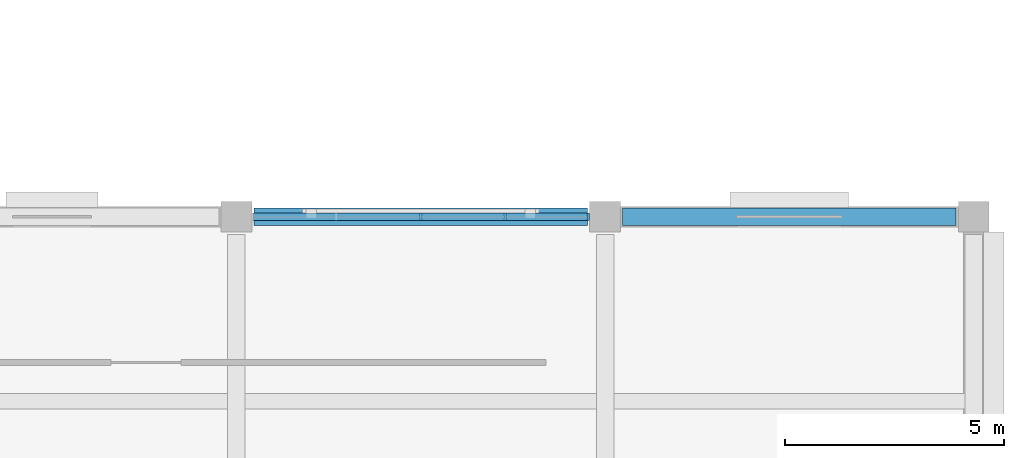
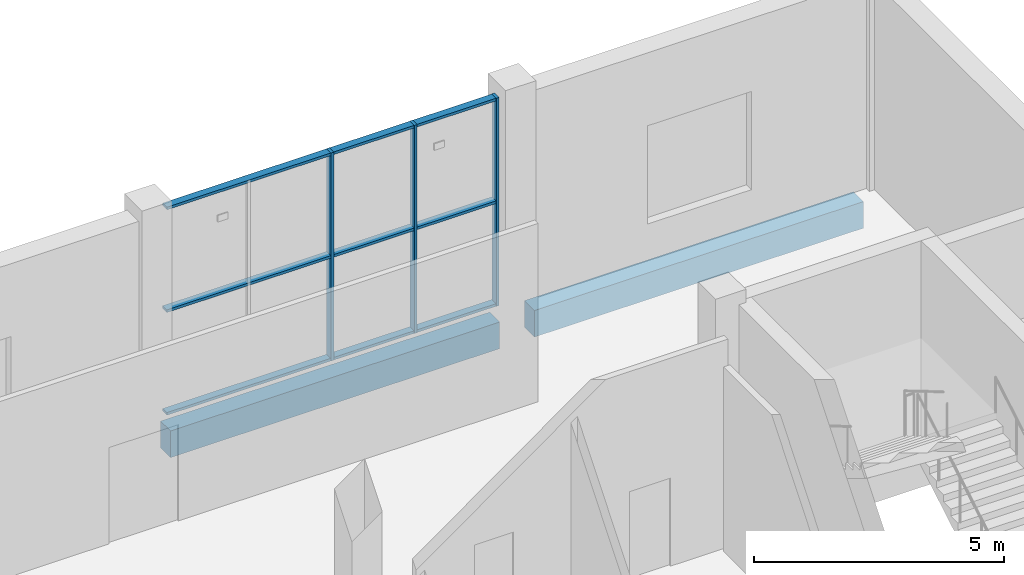
# One storey, part 41 of 83: 6 members, 2 beams, 1 element without a shape of its own.
"""IFC4 building model written with IfcOpenShell, lengths in metres."""

from ifc_helpers import new_model, si_unit, direction, frame, origin, origin_2d, place, context, subcontext, project, spatial, rectangle, extrude, material, material_profile, profile_set, type_object, element, aggregate, save


model = new_model("IFC4")

# Units and contexts
model_context = context("Model", 3, precision=1e-05, world=origin(), true_north=direction((0.0, 1.0)))
body_context = subcontext(model_context, "Body", "Model", "MODEL_VIEW")
ifc_project = project(units=[si_unit("LENGTHUNIT", "METRE"), si_unit("AREAUNIT", "SQUARE_METRE"), si_unit("VOLUMEUNIT", "CUBIC_METRE"), si_unit("PLANEANGLEUNIT", "RADIAN"), si_unit("MASSUNIT", "GRAM", prefix="KILO")], contexts=[model_context])

# Site, building, storey
site_placement = place(None, origin())
site = spatial("IfcSite", under=ifc_project, at=site_placement, CompositionType="ELEMENT")
building_placement = place(site_placement, origin())
building = spatial("IfcBuilding", under=site, at=building_placement, Name="Shalvenor Court Art Gallery", CompositionType="ELEMENT")
storey_placement = place(building_placement, frame((0.0, 0.0, 6.0)))
storey = spatial("IfcBuildingStorey", under=building, at=storey_placement, Name="L01", CompositionType="ELEMENT", Elevation=6.0)

# Beams
ifc_material_1 = material(Name="Concrete C40/50", Category="concrete")
ifc_material_profile_1 = material_profile(ifc_material_1, rectangle(XDim=0.39990234375, YDim=0.64990234375, at=origin_2d()), Name="RC 400x650")
ifc_profile_set_1 = profile_set([ifc_material_profile_1], Name="Concrete C40/50")
beam_type = type_object("IfcBeamType", Name="B-06", PredefinedType="BEAM", material=ifc_profile_set_1)
for number, where, z_axis, x_axis, name in (
    (1, (160.0, 97.199951171875, -0.64501953125), (1.0, 0.0, 0.0), (0.0, 1.0, 0.0), "L01 Girder BM-L01-B-06-0593"),
    (2, (168.39990234375, 97.199951171875, -0.64501953125), (1.0, 0.0, 0.0), (0.0, 1.0, 0.0), "L01 Girder BM-L01-B-06-0594"),
):
    element("IfcBeam", number, at=place(storey_placement, frame(where, z_axis=z_axis, x_axis=x_axis)), inside=storey, type_object=beam_type, Name=name, PredefinedType="BEAM", context=body_context, shape_type="SweptSolid", body=[
        extrude(rectangle(XDim=0.39990234375, YDim=0.64990234375, at=origin_2d()), origin(), (0.0, 0.0, 1.0), 7.60009765625),
    ])

# Curtain wall, members
ifc_material_2 = material(Name="Anodised aluminium and low-iron glass curtain wall", Category="aluminium")
curtain_wall_type = type_object("IfcCurtainWallType", Name="CW-4x2-77-51-122", PredefinedType="USERDEFINED", material=ifc_material_2)
curtain_wall_placement = place(storey_placement, origin())
curtain_wall = element("IfcCurtainWall", 3, at=curtain_wall_placement, inside=storey, type_object=curtain_wall_type, Name="L01 V1 Curtain Wall CW-L01-004", ObjectType="CURTAIN WALL", PredefinedType="USERDEFINED")
ifc_material_3 = material(Name="Anodised aluminium mullion", Category="aluminium")
ifc_material_profile_2 = material_profile(ifc_material_3, rectangle(XDim=0.06494140625, YDim=0.179931640625, at=origin_2d()), Name="CWM-01")
ifc_profile_set_2 = profile_set([ifc_material_profile_2], Name="Anodised aluminium mullion")
member_type_1 = type_object("IfcMemberType", Name="CWM-01", PredefinedType="MULLION", material=ifc_profile_set_2)
member_1_placement = place(storey_placement, frame((163.800048828125, 97.199951171875, 0.0), z_axis=(0.0, 0.0, 1.0), x_axis=(1.0, 0.0, 0.0)))
member_1 = element("IfcMember", 4, at=member_1_placement, type_object=member_type_1, Name="CW-4x2-77-51-122 mullion 3", PredefinedType="MULLION", context=body_context, shape_type="SweptSolid", body=[
    extrude(rectangle(XDim=0.06494140625, YDim=0.179931640625, at=origin_2d()), origin(), (0.0, 0.0, 1.0), 5.080078125),
])
member_2_placement = place(storey_placement, frame((165.72509765625, 97.199951171875, 0.0), z_axis=(0.0, 0.0, 1.0), x_axis=(1.0, 0.0, 0.0)))
member_2 = element("IfcMember", 5, at=member_2_placement, type_object=member_type_1, Name="CW-4x2-77-51-122 mullion 4", PredefinedType="MULLION", context=body_context, shape_type="SweptSolid", body=[
    extrude(rectangle(XDim=0.06494140625, YDim=0.179931640625, at=origin_2d()), origin(), (0.0, 0.0, 1.0), 5.080078125),
])
member_3_placement = place(storey_placement, frame((167.617431640625, 97.199951171875, 0.0), z_axis=(0.0, 0.0, 1.0), x_axis=(1.0, 0.0, 0.0)))
member_3 = element("IfcMember", 6, at=member_3_placement, type_object=member_type_1, Name="CW-4x2-77-51-122 mullion 5", PredefinedType="MULLION", context=body_context, shape_type="SweptSolid", body=[
    extrude(rectangle(XDim=0.06494140625, YDim=0.179931640625, at=origin_2d()), origin(), (0.0, 0.0, 1.0), 5.080078125),
])
ifc_material_4 = material(Name="Anodised aluminium transom", Category="aluminium")
ifc_material_profile_3 = material_profile(ifc_material_4, rectangle(XDim=0.169921875, YDim=0.06494140625, at=origin_2d()), Name="CWT-02")
ifc_profile_set_3 = profile_set([ifc_material_profile_3], Name="Anodised aluminium transom")
member_type_2 = type_object("IfcMemberType", Name="CWT-02", PredefinedType="USERDEFINED", material=ifc_profile_set_3)
member_4_placement = place(storey_placement, frame((159.982421875, 97.199951171875, 0.032470703125), z_axis=(1.0, 0.0, 0.0), x_axis=(0.0, 1.0, 0.0)))
member_4 = element("IfcMember", 7, at=member_4_placement, type_object=member_type_2, Name="CW-4x2-77-51-122 transom 1", ObjectType="TRANSOM", PredefinedType="USERDEFINED", context=body_context, shape_type="SweptSolid", body=[
    extrude(rectangle(XDim=0.169921875, YDim=0.06494140625, at=origin_2d()), origin(), (0.0, 0.0, 1.0), 7.635009765625),
])
member_5_placement = place(storey_placement, frame((159.982421875, 97.199951171875, 2.5400390625), z_axis=(1.0, 0.0, 0.0), x_axis=(0.0, 1.0, 0.0)))
member_5 = element("IfcMember", 8, at=member_5_placement, type_object=member_type_2, Name="CW-4x2-77-51-122 transom 2", ObjectType="TRANSOM", PredefinedType="USERDEFINED", context=body_context, shape_type="SweptSolid", body=[
    extrude(rectangle(XDim=0.169921875, YDim=0.06494140625, at=origin_2d()), origin(), (0.0, 0.0, 1.0), 7.635009765625),
])
member_6_placement = place(storey_placement, frame((159.982421875, 97.199951171875, 5.047607421875), z_axis=(1.0, 0.0, 0.0), x_axis=(0.0, 1.0, 0.0)))
member_6 = element("IfcMember", 9, at=member_6_placement, type_object=member_type_2, Name="CW-4x2-77-51-122 transom 3", ObjectType="TRANSOM", PredefinedType="USERDEFINED", context=body_context, shape_type="SweptSolid", body=[
    extrude(rectangle(XDim=0.169921875, YDim=0.06494140625, at=origin_2d()), origin(), (0.0, 0.0, 1.0), 7.635009765625),
])
aggregate(curtain_wall, [member_1, member_2, member_3, member_4, member_5, member_6])

save(model, "model.ifc")
